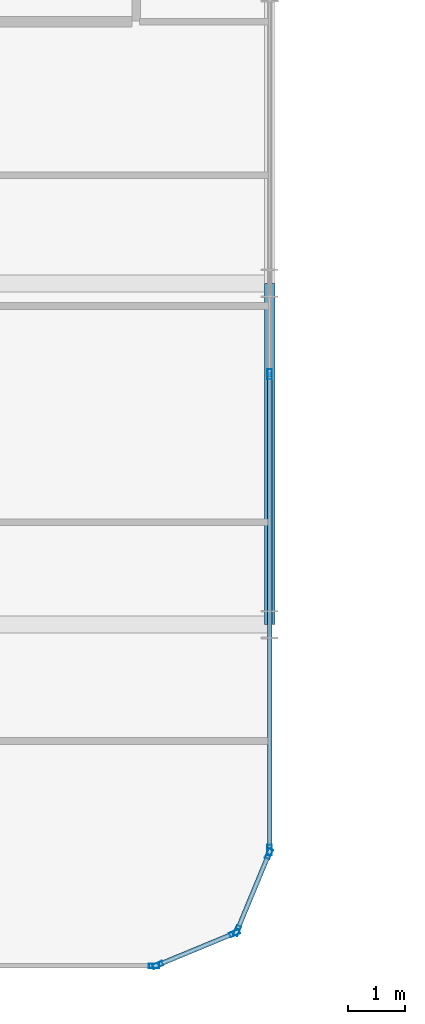
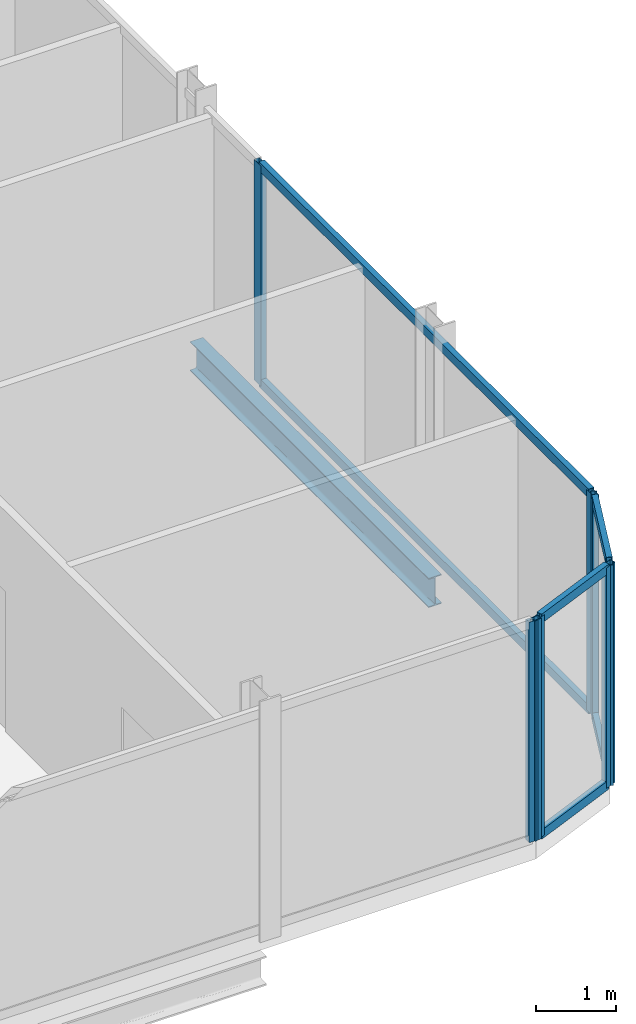
# One storey, part 11 of 31: 13 members, 1 beam, 4 elements without a shape of their own.
"""IFC4 building model written with IfcOpenShell, lengths in metres."""

import ifcopenshell
import ifcopenshell.guid

model = None  # the IFC model being written
_history = None  # IfcOwnerHistory: only IFC2X3 demands one
_inside = {}  # id of a spatial element -> (the spatial element, [elements in it])
_under = {}  # id of a project, library or spatial element -> (it, [spatial elements below it])
_declared = {}  # id of a project -> (the project, [libraries it declares])
_typed = {}  # id of a type object -> (the type object, [elements of that type])
_made_of = {}  # id of a material, layer set ... -> (it, [elements and type objects made of it])


def new_model(schema):
    """Start an empty IFC model of exactly this schema.

    Asked for "IFC4X3", IfcOpenShell would pick the latest addendum, in which some entities
    have other attributes; the version numbers below select the first issue.
    IFC2X3 requires an IfcOwnerHistory on every rooted entity: one is made here for all.
    """
    global model, _history
    if schema == "IFC4X3":
        model = ifcopenshell.file(schema_version=(4, 3, 0, 0))
    else:
        model = ifcopenshell.file(schema=schema)
    _inside.clear()
    _under.clear()
    _declared.clear()
    _typed.clear()
    _made_of.clear()
    _history = None
    if model.schema == "IFC2X3":
        org = make("IfcOrganization", Name="unknown")
        user = make(
            "IfcPersonAndOrganization",
            ThePerson=make("IfcPerson", FamilyName="unknown"),
            TheOrganization=org,
        )
        app = make(
            "IfcApplication",
            ApplicationDeveloper=org,
            Version="unknown",
            ApplicationFullName="unknown",
            ApplicationIdentifier="unknown",
        )
        _history = make(
            "IfcOwnerHistory",
            OwningUser=user,
            OwningApplication=app,
            ChangeAction="ADDED",
            CreationDate=0,
        )
    return model


def make(cls, **values):
    """One entity of the class cls with the attributes given. An attribute that is None is left unset."""
    return model.create_entity(
        cls, **{name: value for name, value in values.items() if value is not None}
    )


def rooted(cls, **values):
    """An entity with a GlobalId (a new one), such as an element, a storey or a relation."""
    return make(cls, GlobalId=ifcopenshell.guid.new(), OwnerHistory=_history, **values)


def si_unit(unit_type, name, prefix=None):
    """IfcSIUnit, for example si_unit("LENGTHUNIT", "METRE", prefix="MILLI")."""
    return make("IfcSIUnit", UnitType=unit_type, Prefix=prefix, Name=name)


def assignment(units):
    """IfcUnitAssignment: the units of a project."""
    return None if units is None else make("IfcUnitAssignment", Units=units)


def point(xyz):
    """IfcCartesianPoint."""
    return None if xyz is None else make("IfcCartesianPoint", Coordinates=xyz)


def direction(xyz):
    """IfcDirection."""
    return None if xyz is None else make("IfcDirection", DirectionRatios=xyz)


def frame(location, z_axis=None, x_axis=None):
    """IfcAxis2Placement3D, a coordinate frame: its origin and axes. An axis left out is left unset."""
    return make(
        "IfcAxis2Placement3D",
        Location=point(location),
        Axis=direction(z_axis),
        RefDirection=direction(x_axis),
    )


def frame_2d(location, x_axis=None):
    """IfcAxis2Placement2D, a coordinate frame in the plane: its origin and x axis."""
    return make(
        "IfcAxis2Placement2D", Location=point(location), RefDirection=direction(x_axis)
    )


def origin():
    """The frame at (0, 0, 0) with its axes left unset."""
    return frame((0.0, 0.0, 0.0))


def origin_2d():
    """The frame at (0, 0) in the plane with its x axis left unset."""
    return frame_2d((0.0, 0.0))


def place(relative_to, where):
    """IfcLocalPlacement: puts the frame where relative to a parent placement (None: the world)."""
    return make(
        "IfcLocalPlacement", PlacementRelTo=relative_to, RelativePlacement=where
    )


def context(
    kind, dimensions, precision=None, world=None, true_north=None, identifier=None
):
    """IfcGeometricRepresentationContext, for example the 3D "Model" context."""
    return make(
        "IfcGeometricRepresentationContext",
        ContextIdentifier=identifier,
        ContextType=kind,
        CoordinateSpaceDimension=dimensions,
        Precision=precision,
        WorldCoordinateSystem=world,
        TrueNorth=true_north,
    )


def subcontext(parent, identifier, kind, view, scale=None):
    """IfcGeometricRepresentationSubContext, for example "Body" below "Model"."""
    return make(
        "IfcGeometricRepresentationSubContext",
        ContextIdentifier=identifier,
        ContextType=kind,
        ParentContext=parent,
        TargetScale=scale,
        TargetView=view,
    )


def project(units=None, contexts=None):
    """IfcProject with its units and contexts."""
    return rooted(
        "IfcProject",
        Name="project",
        RepresentationContexts=contexts,
        UnitsInContext=assignment(units),
    )


def spatial(cls, under=None, at=None, **own):
    """A site, building, storey or space (cls), placed at a placement, below another one or the project."""
    s = rooted(cls, ObjectPlacement=at, **own)
    if under is not None:
        _under.setdefault(under.id(), (under, []))[1].append(s)
    return s


def profile(cls, at=None, kind="AREA", **sizes):
    """A parametric profile (cls). Its sizes go by their IFC names, for example OverallWidth=200.0."""
    return make(cls, ProfileType=kind, Position=at, **sizes)


def hollow_rectangle(**sizes):
    """IfcRectangleHollowProfileDef."""
    return profile("IfcRectangleHollowProfileDef", **sizes)


def i_section(**sizes):
    """IfcIShapeProfileDef."""
    return profile("IfcIShapeProfileDef", **sizes)


def extrude(swept, where, along, depth):
    """IfcExtrudedAreaSolid: the profile swept, set in the frame where, extruded along a direction by depth."""
    return make(
        "IfcExtrudedAreaSolid",
        SweptArea=swept,
        Position=where,
        ExtrudedDirection=direction(along),
        Depth=depth,
    )


def shape(context_of_items, identifier, shape_type, items):
    """IfcShapeRepresentation: the items that make up one representation, for example the "Body"."""
    return make(
        "IfcShapeRepresentation",
        ContextOfItems=context_of_items,
        RepresentationIdentifier=identifier,
        RepresentationType=shape_type,
        Items=items,
    )


def material(Name=None, Category=None):
    """IfcMaterial."""
    return make("IfcMaterial", Name=Name, Category=Category)


def layer(
    of_material, thickness, ventilated=None, Name=None, Category=None, Priority=None
):
    """IfcMaterialLayer: one layer of a wall or slab, of a material (None: an air gap)."""
    return make(
        "IfcMaterialLayer",
        Material=of_material,
        LayerThickness=thickness,
        IsVentilated=ventilated,
        Name=Name,
        Category=Category,
        Priority=Priority,
    )


def layer_set(layers, Name=None):
    """IfcMaterialLayerSet."""
    return make("IfcMaterialLayerSet", MaterialLayers=layers, LayerSetName=Name)


def material_profile(
    of_material, cross_section, Name=None, Category=None, Priority=None
):
    """IfcMaterialProfile: a cross section and its material."""
    return make(
        "IfcMaterialProfile",
        Name=Name,
        Material=of_material,
        Profile=cross_section,
        Priority=Priority,
        Category=Category,
    )


def profile_set(profiles, Name=None, composite=None):
    """IfcMaterialProfileSet."""
    return make(
        "IfcMaterialProfileSet",
        Name=Name,
        MaterialProfiles=profiles,
        CompositeProfile=composite,
    )


def made_of(thing, what):
    """Note that an element or type object is made of a material, layer set ...; save() writes the relation."""
    if what is not None:
        _made_of.setdefault(what.id(), (what, []))[1].append(thing)
    return thing


def type_object(cls, material=None, **own):
    """A type object (cls), such as IfcWallType, which elements share."""
    return made_of(rooted(cls, **own), material)


def element(
    cls,
    number,
    at=None,
    inside=None,
    cuts=None,
    type_object=None,
    material=None,
    context=None,
    identifier="Body",
    shape_type=None,
    held_by="IfcProductDefinitionShape",
    body=None,
    shapes=None,
    **own,
):
    """One element of the class cls, such as IfcWall. Its Tag is "e" and its number.

    at: its placement. inside: the storey or other place that contains it. cuts: it is an
    opening in that element (IfcRelVoidsElement). A single representation is given by context,
    identifier, shape_type and body (its items); several are given by shapes. held_by: the class
    of the entity that holds the representations. save() writes the other relations.
    """
    e = rooted(cls, Tag="e%d" % number, ObjectPlacement=at, **own)
    if body is not None:
        shapes = [shape(context, identifier, shape_type, body)]
    if shapes is not None:
        e.Representation = make(held_by, Representations=shapes)
    if inside is not None:
        _inside.setdefault(inside.id(), (inside, []))[1].append(e)
    if cuts is not None:
        rooted(
            "IfcRelVoidsElement", RelatingBuildingElement=cuts, RelatedOpeningElement=e
        )
    if type_object is not None:
        _typed.setdefault(type_object.id(), (type_object, []))[1].append(e)
    return made_of(e, material)


def aggregate(whole, parts):
    """IfcRelAggregates: a whole, such as a stair, and the parts it consists of."""
    return rooted("IfcRelAggregates", RelatingObject=whole, RelatedObjects=parts)


def save(model, path):
    """Write the relations noted so far, then the file.

    IfcRelAggregates (storeys below a building ...), IfcRelContainedInSpatialStructure (elements
    in a storey), IfcRelDefinesByType, IfcRelAssociatesMaterial and IfcRelDeclares: one each for
    every whole, place, type object, material and project.
    """
    for whole, parts in _under.values():
        aggregate(whole, parts)
    for where, things in _inside.values():
        rooted(
            "IfcRelContainedInSpatialStructure",
            RelatedElements=things,
            RelatingStructure=where,
        )
    for kind, things in _typed.values():
        rooted("IfcRelDefinesByType", RelatedObjects=things, RelatingType=kind)
    for what, things in _made_of.values():
        rooted("IfcRelAssociatesMaterial", RelatedObjects=things, RelatingMaterial=what)
    for by, libraries in _declared.values():
        rooted("IfcRelDeclares", RelatingContext=by, RelatedDefinitions=libraries)
    model.write(path)


model = new_model("IFC4")

# Units and contexts
model_context = context("Model", 3, precision=1e-05, world=origin(), true_north=direction((0.0, 1.0)))
body_context = subcontext(model_context, "Body", "Model", "MODEL_VIEW")
ifc_project = project(units=[si_unit("LENGTHUNIT", "METRE"), si_unit("AREAUNIT", "SQUARE_METRE"), si_unit("VOLUMEUNIT", "CUBIC_METRE"), si_unit("PLANEANGLEUNIT", "RADIAN"), si_unit("MASSUNIT", "GRAM", prefix="KILO")], contexts=[model_context])

# Site, building, storey
site_placement = place(None, origin())
site = spatial("IfcSite", under=ifc_project, at=site_placement, CompositionType="ELEMENT")
building_placement = place(site_placement, origin())
building = spatial("IfcBuilding", under=site, at=building_placement, Name="Keshet Zoharim Tower", CompositionType="ELEMENT")
storey_placement = place(building_placement, frame((0.0, 0.0, 144.60009765625)))
storey = spatial("IfcBuildingStorey", under=building, at=storey_placement, Name="L35", CompositionType="ELEMENT", Elevation=144.60009765625)

# Beam
ifc_material_1 = material(Name="Steel S355", Category="steel")
ifc_material_profile_1 = material_profile(ifc_material_1, i_section(OverallWidth=0.18994140625, OverallDepth=0.449951171875, WebThickness=0.009521484375, FlangeThickness=0.0146484375, FilletRadius=0.02099609375, at=origin_2d()), Name="IPE450")
ifc_profile_set_1 = profile_set([ifc_material_profile_1], Name="Steel S355")
beam_type = type_object("IfcBeamType", Name="BM-PRI-IP450", PredefinedType="BEAM", material=ifc_profile_set_1)
beam_placement = place(storey_placement, frame((57.0, 6.699951171875, -0.5400390625), z_axis=(0.0, 1.0, 0.0), x_axis=(-1.0, 0.0, 0.0)))
element("IfcBeam", 1, at=beam_placement, inside=storey, type_object=beam_type, Name="L35 Primary Girder Y-013", PredefinedType="BEAM", context=body_context, shape_type="SweptSolid", body=[
    extrude(i_section(OverallWidth=0.18994140625, OverallDepth=0.449951171875, WebThickness=0.009521484375, FlangeThickness=0.0146484375, FilletRadius=0.02099609375, at=origin_2d()), origin(), (0.0, 0.0, 1.0), 6.0),
])

# Curtain wall, members
ifc_material_2 = material(Name="Aluminium 6063-T6", Category="aluminium")
ifc_layer = layer(ifc_material_2, 0.159912109375)
ifc_layer_set = layer_set([ifc_layer], Name="Aluminium 6063-T6")
curtain_wall_type = type_object("IfcCurtainWallType", Name="CW-SYS-03", PredefinedType="NOTDEFINED", material=ifc_layer_set)
curtain_wall_1_placement = place(storey_placement, origin())
curtain_wall_1 = element("IfcCurtainWall", 2, at=curtain_wall_1_placement, inside=storey, type_object=curtain_wall_type, Name="L35 Unitised Curtain Wall 01", PredefinedType="NOTDEFINED")
ifc_material_profile_2 = material_profile(ifc_material_2, hollow_rectangle(XDim=0.080078125, YDim=0.179931640625, WallThickness=0.00439453125, at=origin_2d()), Name="MUL-80x180")
ifc_profile_set_2 = profile_set([ifc_material_profile_2], Name="Aluminium 6063-T6")
member_type_1 = type_object("IfcMemberType", Name="CWM-M18", PredefinedType="MULLION", material=ifc_profile_set_2)
member_1_placement = place(storey_placement, frame((56.986572265625, 2.667724609375, 0.0), z_axis=(0.0, 0.0, 1.0), x_axis=(0.92380975372, -0.382851849847, 0.0)))
member_1 = element("IfcMember", 3, at=member_1_placement, type_object=member_type_1, Name="CW-03 mullion 1", PredefinedType="MULLION", context=body_context, shape_type="SweptSolid", body=[
    extrude(hollow_rectangle(XDim=0.080078125, YDim=0.179931640625, WallThickness=0.00439453125, at=origin_2d()), origin(), (0.0, 0.0, 1.0), 3.385009765625),
])
member_2_placement = place(storey_placement, frame((56.427490234375, 1.318359375, 0.0), z_axis=(0.0, 0.0, 1.0), x_axis=(0.92380975372, -0.382851849847, 0.0)))
member_2 = element("IfcMember", 4, at=member_2_placement, type_object=member_type_1, Name="CW-03 mullion 2", PredefinedType="MULLION", context=body_context, shape_type="SweptSolid", body=[
    extrude(hollow_rectangle(XDim=0.080078125, YDim=0.179931640625, WallThickness=0.00439453125, at=origin_2d()), origin(), (0.0, 0.0, 1.0), 3.385009765625),
])

curtain_wall_2_placement = place(storey_placement, origin())
curtain_wall_2 = element("IfcCurtainWall", 5, at=curtain_wall_2_placement, inside=storey, type_object=curtain_wall_type, Name="L35 Unitised Curtain Wall 02", PredefinedType="NOTDEFINED")
member_3_placement = place(storey_placement, frame((56.381591796875, 1.272705078125, 0.0), z_axis=(0.0, 0.0, 1.0), x_axis=(0.382851849847, -0.92380975372, 0.0)))
member_3 = element("IfcMember", 6, at=member_3_placement, type_object=member_type_1, Name="CW-03 mullion 1", PredefinedType="MULLION", context=body_context, shape_type="SweptSolid", body=[
    extrude(hollow_rectangle(XDim=0.080078125, YDim=0.179931640625, WallThickness=0.00439453125, at=origin_2d()), origin(), (0.0, 0.0, 1.0), 3.385009765625),
])
member_4_placement = place(storey_placement, frame((55.0322265625, 0.71337890625, 0.0), z_axis=(0.0, 0.0, 1.0), x_axis=(0.382851849847, -0.92380975372, 0.0)))
member_4 = element("IfcMember", 7, at=member_4_placement, type_object=member_type_1, Name="CW-03 mullion 2", PredefinedType="MULLION", context=body_context, shape_type="SweptSolid", body=[
    extrude(hollow_rectangle(XDim=0.080078125, YDim=0.179931640625, WallThickness=0.00439453125, at=origin_2d()), origin(), (0.0, 0.0, 1.0), 3.385009765625),
])

# Curtain wall, member
curtain_wall_3_placement = place(storey_placement, origin())
curtain_wall_3 = element("IfcCurtainWall", 8, at=curtain_wall_3_placement, inside=storey, type_object=curtain_wall_type, Name="L35 Unitised Curtain Wall 03", PredefinedType="NOTDEFINED")
member_5_placement = place(storey_placement, frame((54.965087890625, 0.699951171875, 0.0), z_axis=(0.0, 0.0, 1.0), x_axis=(0.0, -1.0, 0.0)))
member_5 = element("IfcMember", 9, at=member_5_placement, type_object=member_type_1, Name="CW-03 mullion 1", PredefinedType="MULLION", context=body_context, shape_type="SweptSolid", body=[
    extrude(hollow_rectangle(XDim=0.080078125, YDim=0.179931640625, WallThickness=0.00439453125, at=origin_2d()), origin(), (0.0, 0.0, 1.0), 3.385009765625),
])
aggregate(curtain_wall_3, [member_5])

# Curtain wall, members
curtain_wall_4_placement = place(storey_placement, origin())
curtain_wall_4 = element("IfcCurtainWall", 10, at=curtain_wall_4_placement, inside=storey, type_object=curtain_wall_type, Name="L35 Unitised Curtain Wall 19", PredefinedType="NOTDEFINED")
member_6_placement = place(storey_placement, frame((57.0, 11.10009765625, 0.0), z_axis=(0.0, 0.0, 1.0), x_axis=(1.0, 0.0, 0.0)))
member_6 = element("IfcMember", 11, at=member_6_placement, type_object=member_type_1, Name="CW-03 mullion 3", PredefinedType="MULLION", context=body_context, shape_type="SweptSolid", body=[
    extrude(hollow_rectangle(XDim=0.080078125, YDim=0.179931640625, WallThickness=0.00439453125, at=origin_2d()), origin(), (0.0, 0.0, 1.0), 3.385009765625),
])
member_7_placement = place(storey_placement, frame((57.0, 2.735107421875, 0.0), z_axis=(0.0, 0.0, 1.0), x_axis=(1.0, 0.0, 0.0)))
member_7 = element("IfcMember", 12, at=member_7_placement, type_object=member_type_1, Name="CW-03 mullion 4", PredefinedType="MULLION", context=body_context, shape_type="SweptSolid", body=[
    extrude(hollow_rectangle(XDim=0.080078125, YDim=0.179931640625, WallThickness=0.00439453125, at=origin_2d()), origin(), (0.0, 0.0, 1.0), 3.385009765625),
])

# Member
ifc_material_profile_3 = material_profile(ifc_material_2, hollow_rectangle(XDim=0.080078125, YDim=0.139892578125, WallThickness=0.00390625, at=origin_2d()), Name="TRN-80x140")
ifc_profile_set_3 = profile_set([ifc_material_profile_3], Name="Aluminium 6063-T6")
member_type_2 = type_object("IfcMemberType", Name="CWT-T14", PredefinedType="USERDEFINED", material=ifc_profile_set_3)
member_8_placement = place(storey_placement, frame((56.97314453125, 2.63525390625, 0.034912109375), z_axis=(-0.382744609247, -0.923854189844, 0.0), x_axis=(0.923854189844, -0.382744609247, 0.0)))
member_8 = element("IfcMember", 13, at=member_8_placement, type_object=member_type_2, Name="CW-03 transom 1.1", ObjectType="TRANSOM", PredefinedType="USERDEFINED", context=body_context, shape_type="SweptSolid", body=[
    extrude(hollow_rectangle(XDim=0.080078125, YDim=0.139892578125, WallThickness=0.00390625, at=origin_2d()), origin(), (0.0, 0.0, 1.0), 1.390625),
])

member_9_placement = place(storey_placement, frame((56.97314453125, 2.63525390625, 3.349853515625), z_axis=(-0.382744609247, -0.923854189844, 0.0), x_axis=(0.923854189844, -0.382744609247, 0.0)))
member_9 = element("IfcMember", 14, at=member_9_placement, type_object=member_type_2, Name="CW-03 transom 1.2", ObjectType="TRANSOM", PredefinedType="USERDEFINED", context=body_context, shape_type="SweptSolid", body=[
    extrude(hollow_rectangle(XDim=0.080078125, YDim=0.139892578125, WallThickness=0.00390625, at=origin_2d()), origin(), (0.0, 0.0, 1.0), 1.390625),
])

aggregate(curtain_wall_1, [member_1, member_2, member_8, member_9])

member_10_placement = place(storey_placement, frame((56.349365234375, 1.25927734375, 0.034912109375), z_axis=(-0.92379209995, -0.382894445076, 0.0), x_axis=(0.382894445076, -0.92379209995, 0.0)))
member_10 = element("IfcMember", 15, at=member_10_placement, type_object=member_type_2, Name="CW-03 transom 1.1", ObjectType="TRANSOM", PredefinedType="USERDEFINED", context=body_context, shape_type="SweptSolid", body=[
    extrude(hollow_rectangle(XDim=0.080078125, YDim=0.139892578125, WallThickness=0.00390625, at=origin_2d()), origin(), (0.0, 0.0, 1.0), 1.390625),
])

member_11_placement = place(storey_placement, frame((56.349365234375, 1.25927734375, 3.349853515625), z_axis=(-0.92379209995, -0.382894445076, 0.0), x_axis=(0.382894445076, -0.92379209995, 0.0)))
member_11 = element("IfcMember", 16, at=member_11_placement, type_object=member_type_2, Name="CW-03 transom 1.2", ObjectType="TRANSOM", PredefinedType="USERDEFINED", context=body_context, shape_type="SweptSolid", body=[
    extrude(hollow_rectangle(XDim=0.080078125, YDim=0.139892578125, WallThickness=0.00390625, at=origin_2d()), origin(), (0.0, 0.0, 1.0), 1.390625),
])

aggregate(curtain_wall_2, [member_3, member_4, member_10, member_11])

member_12_placement = place(storey_placement, frame((57.0, 11.06494140625, 0.034912109375), z_axis=(0.0, -1.0, 0.0), x_axis=(1.0, 0.0, 0.0)))
member_12 = element("IfcMember", 17, at=member_12_placement, type_object=member_type_2, Name="CW-03 transom 3.1", ObjectType="TRANSOM", PredefinedType="USERDEFINED", context=body_context, shape_type="SweptSolid", body=[
    extrude(hollow_rectangle(XDim=0.080078125, YDim=0.139892578125, WallThickness=0.00390625, at=origin_2d()), origin(), (0.0, 0.0, 1.0), 8.294921875),
])

member_13_placement = place(storey_placement, frame((57.0, 11.06494140625, 3.349853515625), z_axis=(0.0, -1.0, 0.0), x_axis=(1.0, 0.0, 0.0)))
member_13 = element("IfcMember", 18, at=member_13_placement, type_object=member_type_2, Name="CW-03 transom 3.2", ObjectType="TRANSOM", PredefinedType="USERDEFINED", context=body_context, shape_type="SweptSolid", body=[
    extrude(hollow_rectangle(XDim=0.080078125, YDim=0.139892578125, WallThickness=0.00390625, at=origin_2d()), origin(), (0.0, 0.0, 1.0), 8.294921875),
])

aggregate(curtain_wall_4, [member_6, member_7, member_12, member_13])

save(model, "model.ifc")
